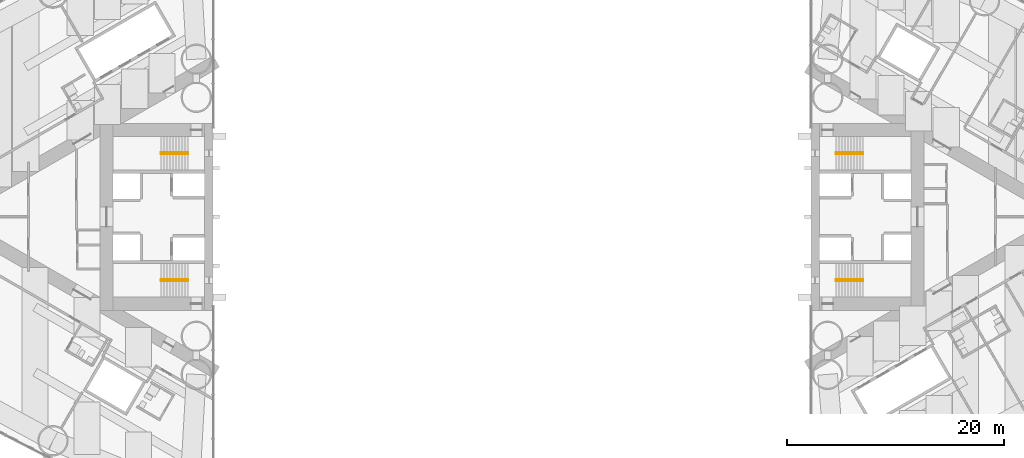
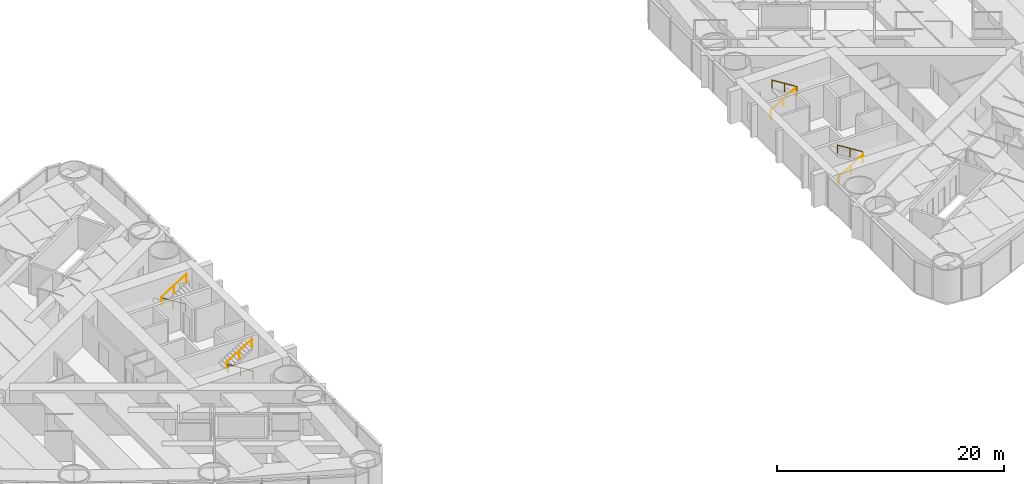
# One storey, part 18 of 19: 8 railings.
"""IFC4 building model written with IfcOpenShell, lengths in metres."""

from ifc_helpers import new_model, si_unit, direction, frame, origin, origin_2d, place, context, subcontext, project, spatial, circle, extrude, material, type_object, element, save


model = new_model("IFC4")

# Units and contexts
model_context = context("Model", 3, precision=1e-05, world=origin(), true_north=direction((0.0, 1.0)))
body_context = subcontext(model_context, "Body", "Model", "MODEL_VIEW")
ifc_project = project(units=[si_unit("LENGTHUNIT", "METRE"), si_unit("AREAUNIT", "SQUARE_METRE"), si_unit("VOLUMEUNIT", "CUBIC_METRE"), si_unit("PLANEANGLEUNIT", "RADIAN"), si_unit("MASSUNIT", "GRAM", prefix="KILO")], contexts=[model_context])

# Site, building, storey
site_placement = place(None, origin())
site = spatial("IfcSite", under=ifc_project, at=site_placement, CompositionType="ELEMENT")
building_placement = place(site_placement, origin())
building = spatial("IfcBuilding", under=site, at=building_placement, Name="Lancet Gate Hotel", CompositionType="ELEMENT")
storey_placement = place(building_placement, frame((0.0, 0.0, 32.0)))
storey = spatial("IfcBuildingStorey", under=building, at=storey_placement, Name="L07", CompositionType="ELEMENT", Elevation=32.0)

# Railings
ifc_material = material(Name="Stainless steel handrail", Category="steel")
railing_type = type_object("IfcRailingType", Name="Stair handrail 900", PredefinedType="HANDRAIL", material=ifc_material)
railing_1_placement = place(storey_placement, frame((-29.800048828125, 5.929931640625, 0.175048828125)))
element("IfcRailing", 1, at=railing_1_placement, inside=storey, type_object=railing_type, Name="ST1 handrail flight 1 L07", PredefinedType="HANDRAIL", context=body_context, shape_type="SweptSolid", body=[
    extrude(circle(Radius=0.02392578125, at=origin_2d()), frame((0.0, 0.0, 0.8759765625), z_axis=(-0.848007534815, 0.0, 0.529984170421), x_axis=(0.0, -1.0, 0.0)), (0.0, 0.0, 1.0), 2.9716796875),
    extrude(circle(Radius=0.02099609375, at=origin_2d()), origin(), (0.0, 0.0, 1.0), 0.851806640625),
    extrude(circle(Radius=0.02099609375, at=origin_2d()), frame((-1.260009765625, 0.0, 0.78759765625)), (0.0, 0.0, 1.0), 0.851806640625),
    extrude(circle(Radius=0.02099609375, at=origin_2d()), frame((-2.52001953125, 0.0, 1.574951171875)), (0.0, 0.0, 1.0), 0.851806640625),
])
railing_2_placement = place(storey_placement, frame((-32.320068359375, 5.77001953125, 1.925048828125)))
element("IfcRailing", 2, at=railing_2_placement, inside=storey, type_object=railing_type, Name="ST1 handrail flight 2 L07", PredefinedType="HANDRAIL", context=body_context, shape_type="SweptSolid", body=[
    extrude(circle(Radius=0.02392578125, at=origin_2d()), frame((0.0, 0.0, 0.8759765625), z_axis=(0.848007534815, 0.0, 0.529984170421), x_axis=(0.0, 1.0, 0.0)), (0.0, 0.0, 1.0), 2.9716796875),
    extrude(circle(Radius=0.02099609375, at=origin_2d()), origin(), (0.0, 0.0, 1.0), 0.851806640625),
    extrude(circle(Radius=0.02099609375, at=origin_2d()), frame((1.260009765625, 0.0, 0.78759765625)), (0.0, 0.0, 1.0), 0.851806640625),
    extrude(circle(Radius=0.02099609375, at=origin_2d()), frame((2.52001953125, 0.0, 1.574951171875)), (0.0, 0.0, 1.0), 0.851806640625),
])
railing_3_placement = place(storey_placement, frame((-29.800048828125, -5.929931640625, 0.175048828125)))
element("IfcRailing", 3, at=railing_3_placement, inside=storey, type_object=railing_type, Name="ST2 handrail flight 1 L07", PredefinedType="HANDRAIL", context=body_context, shape_type="SweptSolid", body=[
    extrude(circle(Radius=0.02392578125, at=origin_2d()), frame((0.0, 0.0, 0.8759765625), z_axis=(-0.848007534815, 0.0, 0.529984170421), x_axis=(0.0, -1.0, 0.0)), (0.0, 0.0, 1.0), 2.9716796875),
    extrude(circle(Radius=0.02099609375, at=origin_2d()), origin(), (0.0, 0.0, 1.0), 0.851806640625),
    extrude(circle(Radius=0.02099609375, at=origin_2d()), frame((-1.260009765625, 0.0, 0.78759765625)), (0.0, 0.0, 1.0), 0.851806640625),
    extrude(circle(Radius=0.02099609375, at=origin_2d()), frame((-2.52001953125, 0.0, 1.574951171875)), (0.0, 0.0, 1.0), 0.851806640625),
])
for number, where, name in (
    (4, (-32.320068359375, -5.77001953125, 1.925048828125), "ST2 handrail flight 2 L07"),
    (5, (29.800048828125, -5.929931640625, 0.175048828125), "ST3 handrail flight 1 L07"),
):
    element("IfcRailing", number, at=place(storey_placement, frame(where)), inside=storey, type_object=railing_type, Name=name, PredefinedType="HANDRAIL", context=body_context, shape_type="SweptSolid", body=[
        extrude(circle(Radius=0.02392578125, at=origin_2d()), frame((0.0, 0.0, 0.8759765625), z_axis=(0.848007534815, 0.0, 0.529984170421), x_axis=(0.0, 1.0, 0.0)), (0.0, 0.0, 1.0), 2.9716796875),
        extrude(circle(Radius=0.02099609375, at=origin_2d()), origin(), (0.0, 0.0, 1.0), 0.851806640625),
        extrude(circle(Radius=0.02099609375, at=origin_2d()), frame((1.260009765625, 0.0, 0.78759765625)), (0.0, 0.0, 1.0), 0.851806640625),
        extrude(circle(Radius=0.02099609375, at=origin_2d()), frame((2.52001953125, 0.0, 1.574951171875)), (0.0, 0.0, 1.0), 0.851806640625),
    ])
railing_4_placement = place(storey_placement, frame((32.320068359375, -5.77001953125, 1.925048828125)))
element("IfcRailing", 6, at=railing_4_placement, inside=storey, type_object=railing_type, Name="ST3 handrail flight 2 L07", PredefinedType="HANDRAIL", context=body_context, shape_type="SweptSolid", body=[
    extrude(circle(Radius=0.02392578125, at=origin_2d()), frame((0.0, 0.0, 0.8759765625), z_axis=(-0.848007534815, 0.0, 0.529984170421), x_axis=(0.0, -1.0, 0.0)), (0.0, 0.0, 1.0), 2.9716796875),
    extrude(circle(Radius=0.02099609375, at=origin_2d()), origin(), (0.0, 0.0, 1.0), 0.851806640625),
    extrude(circle(Radius=0.02099609375, at=origin_2d()), frame((-1.260009765625, 0.0, 0.78759765625)), (0.0, 0.0, 1.0), 0.851806640625),
    extrude(circle(Radius=0.02099609375, at=origin_2d()), frame((-2.52001953125, 0.0, 1.574951171875)), (0.0, 0.0, 1.0), 0.851806640625),
])
railing_5_placement = place(storey_placement, frame((29.800048828125, 5.929931640625, 0.175048828125)))
element("IfcRailing", 7, at=railing_5_placement, inside=storey, type_object=railing_type, Name="ST4 handrail flight 1 L07", PredefinedType="HANDRAIL", context=body_context, shape_type="SweptSolid", body=[
    extrude(circle(Radius=0.02392578125, at=origin_2d()), frame((0.0, 0.0, 0.8759765625), z_axis=(0.848007534815, 0.0, 0.529984170421), x_axis=(0.0, 1.0, 0.0)), (0.0, 0.0, 1.0), 2.9716796875),
    extrude(circle(Radius=0.02099609375, at=origin_2d()), origin(), (0.0, 0.0, 1.0), 0.851806640625),
    extrude(circle(Radius=0.02099609375, at=origin_2d()), frame((1.260009765625, 0.0, 0.78759765625)), (0.0, 0.0, 1.0), 0.851806640625),
    extrude(circle(Radius=0.02099609375, at=origin_2d()), frame((2.52001953125, 0.0, 1.574951171875)), (0.0, 0.0, 1.0), 0.851806640625),
])
railing_6_placement = place(storey_placement, frame((32.320068359375, 5.77001953125, 1.925048828125)))
element("IfcRailing", 8, at=railing_6_placement, inside=storey, type_object=railing_type, Name="ST4 handrail flight 2 L07", PredefinedType="HANDRAIL", context=body_context, shape_type="SweptSolid", body=[
    extrude(circle(Radius=0.02392578125, at=origin_2d()), frame((0.0, 0.0, 0.8759765625), z_axis=(-0.848007534815, 0.0, 0.529984170421), x_axis=(0.0, -1.0, 0.0)), (0.0, 0.0, 1.0), 2.9716796875),
    extrude(circle(Radius=0.02099609375, at=origin_2d()), origin(), (0.0, 0.0, 1.0), 0.851806640625),
    extrude(circle(Radius=0.02099609375, at=origin_2d()), frame((-1.260009765625, 0.0, 0.78759765625)), (0.0, 0.0, 1.0), 0.851806640625),
    extrude(circle(Radius=0.02099609375, at=origin_2d()), frame((-2.52001953125, 0.0, 1.574951171875)), (0.0, 0.0, 1.0), 0.851806640625),
])

save(model, "model.ifc")
